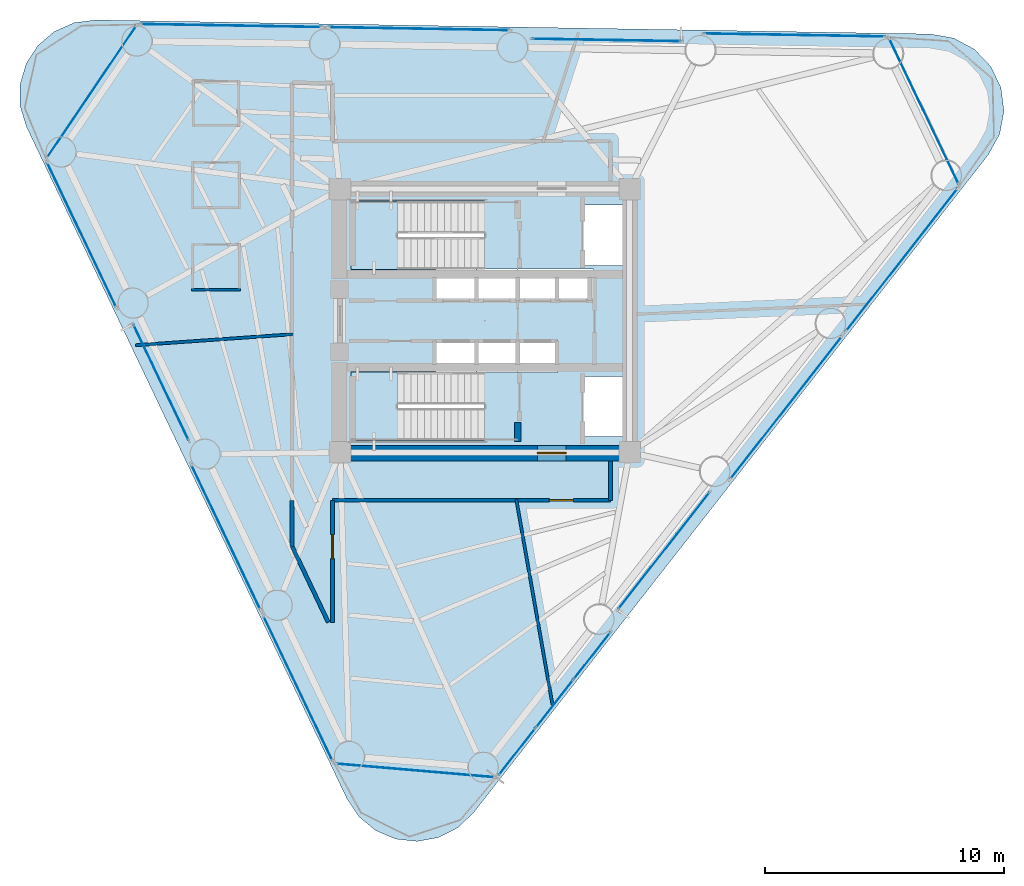
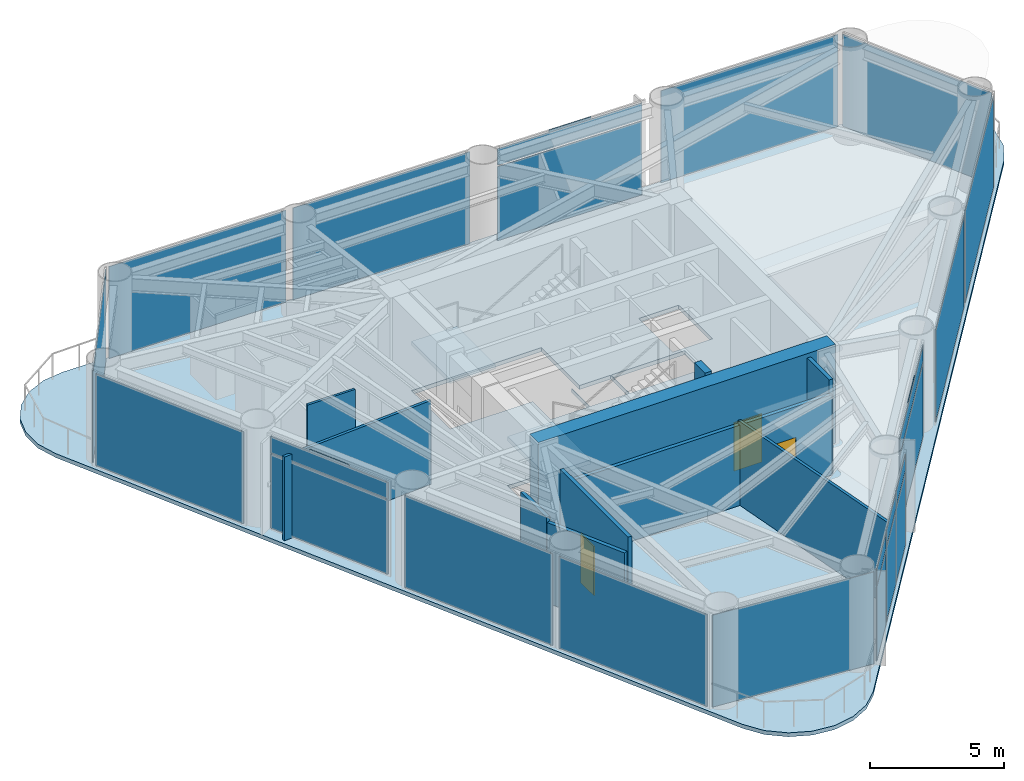
# One storey, part 5 of 11: 26 plates, 10 walls, 3 doors, 3 slabs, 3 openings, 17 elements without a shape of their own.
"""IFC4 building model written with IfcOpenShell, lengths in metres."""

from ifc_helpers import new_model, si_unit, direction, frame, frame_2d, origin, origin_2d, place, context, subcontext, project, spatial, polyline, rectangle, outline, extrude, source, transform, mapped, material, layer, layer_set, type_object, element, fill, aggregate, save


model = new_model("IFC4")

# Units and contexts
model_context = context("Model", 3, precision=1e-05, world=origin(), true_north=direction((0.0, 1.0)))
body_context = subcontext(model_context, "Body", "Model", "MODEL_VIEW")
ifc_project = project(units=[si_unit("LENGTHUNIT", "METRE"), si_unit("AREAUNIT", "SQUARE_METRE"), si_unit("VOLUMEUNIT", "CUBIC_METRE"), si_unit("PLANEANGLEUNIT", "RADIAN"), si_unit("MASSUNIT", "GRAM", prefix="KILO")], contexts=[model_context])

# Site, building, storey
site_placement = place(None, origin())
site = spatial("IfcSite", under=ifc_project, at=site_placement, CompositionType="ELEMENT")
building_placement = place(site_placement, origin())
building = spatial("IfcBuilding", under=site, at=building_placement, Name="Yunling Apex Tower", CompositionType="ELEMENT")
storey_placement = place(building_placement, frame((0.0, 0.0, 125.0)))
storey = spatial("IfcBuildingStorey", under=building, at=storey_placement, Name="L30", CompositionType="ELEMENT", Elevation=125.0)

# Slab
ifc_material_1 = material(Name="Concrete C40", Category="concrete")
ifc_layer_1 = layer(ifc_material_1, 0.1650390625)
ifc_layer_set_1 = layer_set([ifc_layer_1], Name="Concrete C40")
slab_type_1 = type_object("IfcSlabType", Name="SL-FLR-2", PredefinedType="FLOOR", material=ifc_layer_set_1)
slab_1_placement = place(storey_placement, frame((0.0, 0.0, -0.179931640625)))
element("IfcSlab", 1, at=slab_1_placement, inside=storey, type_object=slab_type_1, Name="L30 Composite Tower Floor Slab", PredefinedType="FLOOR", context=body_context, shape_type="SweptSolid", body=[
    extrude(outline(polyline([(-5.759765625, -19.970947265625), (-5.255615234375, -20.723388671875), (-4.55712890625, -21.300048828125), (-3.722900390625, -21.652587890625), (-2.82275390625, -21.75146484375), (-1.931884765625, -21.58837890625), (-1.125, -21.17724609375), (-0.469482421875, -20.55224609375), (21.029541015625, 6.926025390625), (21.5078125, 7.7900390625), (21.693115234375, 8.76025390625), (21.566650390625, 9.73974609375), (21.1416015625, 10.631103515625), (20.459716796875, 11.345703125), (19.58935546875, 11.812255859375), (18.616943359375, 11.984375), (-16.267578125, 12.569091796875), (-17.165771484375, 12.453125), (-17.9931640625, 12.084716796875), (-18.680419921875, 11.4951171875), (-19.170166015625, 10.733154296875), (-19.421142578125, 9.86279296875), (-19.41259765625, 8.957275390625), (-19.14501953125, 8.092041015625), (-5.759765625, -19.970947265625)]), holes=[polyline([(5.81005859375, -2.320068359375), (5.81005859375, -4.840087890625), (4.090087890625, -4.840087890625), (4.090087890625, -2.320068359375), (5.81005859375, -2.320068359375)]), polyline([(5.81005859375, 4.840087890625), (5.81005859375, 2.320068359375), (4.090087890625, 2.320068359375), (4.090087890625, 4.840087890625), (5.81005859375, 4.840087890625)]), polyline([(4.534912109375, 0.794921875), (1.364990234375, 0.794921875), (1.364990234375, 2.1650390625), (4.534912109375, 2.1650390625), (4.534912109375, 0.794921875)]), polyline([(3.034912109375, -0.794921875), (3.034912109375, -2.1650390625), (1.364990234375, -2.1650390625), (1.364990234375, -0.794921875), (3.034912109375, -0.794921875)]), polyline([(-2.034912109375, -0.794921875), (-0.364990234375, -0.794921875), (-0.364990234375, -2.139892578125), (-0.3349609375, -2.139892578125), (-0.3349609375, -0.794921875), (1.3349609375, -0.794921875), (1.3349609375, -2.1650390625), (-0.010009765625, -2.1650390625), (-0.010009765625, -5.010009765625), (-5.60009765625, -5.010009765625), (-5.60009765625, -2.139892578125), (-2.034912109375, -2.139892578125), (-2.034912109375, -0.794921875)]), polyline([(-5.60009765625, 2.139892578125), (-5.60009765625, 5.010009765625), (-0.010009765625, 5.010009765625), (-0.010009765625, 2.1650390625), (1.3349609375, 2.1650390625), (1.3349609375, 0.794921875), (-0.3349609375, 0.794921875), (-0.3349609375, 2.139892578125), (-0.364990234375, 2.139892578125), (-0.364990234375, 0.794921875), (-2.034912109375, 0.794921875), (-2.034912109375, 2.139892578125), (-5.60009765625, 2.139892578125)])]), origin(), (0.0, 0.0, 1.0), 0.179931640625),
])

# Stair, slab
stair_type = type_object("IfcStairType", Name="ST-TWR-2", PredefinedType="HALF_TURN_STAIR", material=ifc_material_1)
stair_1_placement = place(storey_placement, origin())
stair_1 = element("IfcStair", 2, at=stair_1_placement, inside=storey, type_object=stair_type, Name="L30 North Core Smokeproof Exit Stair ST-1", PredefinedType="HALF_TURN_STAIR")
ifc_layer_2 = layer(ifc_material_1, 0.195068359375)
ifc_layer_set_2 = layer_set([ifc_layer_2], Name="Concrete C40")
slab_type_2 = type_object("IfcSlabType", Name="SL-LND-1", PredefinedType="LANDING", material=ifc_layer_set_2)
slab_2_placement = place(storey_placement, frame((0.0, 0.0, 2.054931640625)))
slab_2 = element("IfcSlab", 3, at=slab_2_placement, type_object=slab_type_2, Name="ST-1 landing 1", PredefinedType="LANDING", context=body_context, shape_type="SweptSolid", body=[
    extrude(outline(polyline([(-3.64990234375, 5.010009765625), (-5.60009765625, 5.010009765625), (-5.60009765625, 2.139892578125), (-3.64990234375, 2.139892578125), (-3.64990234375, 5.010009765625)])), origin(), (0.0, 0.0, 1.0), 0.195068359375),
])
aggregate(stair_1, [slab_2])

stair_2_placement = place(storey_placement, origin())
stair_2 = element("IfcStair", 4, at=stair_2_placement, inside=storey, type_object=stair_type, Name="L30 South Core Smokeproof Exit Stair ST-2", PredefinedType="HALF_TURN_STAIR")
slab_3_placement = place(storey_placement, frame((0.0, 0.0, 2.054931640625)))
slab_3 = element("IfcSlab", 5, at=slab_3_placement, type_object=slab_type_2, Name="ST-2 landing 1", PredefinedType="LANDING", context=body_context, shape_type="SweptSolid", body=[
    extrude(outline(polyline([(-3.64990234375, -2.139892578125), (-5.60009765625, -2.139892578125), (-5.60009765625, -5.010009765625), (-3.64990234375, -5.010009765625), (-3.64990234375, -2.139892578125)])), origin(), (0.0, 0.0, 1.0), 0.195068359375),
])
aggregate(stair_2, [slab_3])

# Plates
ifc_material_2 = material(Name="Bronze anodised aluminium", Category="aluminium")
ifc_layer_3 = layer(ifc_material_2, 0.011962890625)
ifc_layer_set_3 = layer_set([ifc_layer_3], Name="Bronze anodised aluminium")
plate_type_1 = type_object("IfcPlateType", Name="SP-SHT-1", PredefinedType="SHEET", material=ifc_layer_set_3)
shared_shape_1 = source(origin(), body_context, "Body", "SweptSolid", [
    extrude(rectangle(XDim=1.800048828125, YDim=0.02392578125, at=origin_2d()), origin(), (0.0, 0.0, 1.0), 0.43994140625),
])
for number, where, z_axis, x_axis, name in (
    (6, (7.4833984375, -9.608642578125, 3.919921875), (0.0, 0.0, 1.0), (0.616211460536, 0.787580748815, 0.0), "SP-GRV-L30-F1"),
    (7, (5.091064453125, 11.73095703125, 3.919921875), (0.0, 0.0, 1.0), (-0.999859635577, 0.016754376869, 0.0), "SP-GRV-L30-F2"),
    (8, (-13.52490234375, -2.57568359375, 3.919921875), (0.0, 0.0, 1.0), (0.430511096808, -0.90258528435, 0.0), "SP-GRV-L30-F3"),
):
    element("IfcPlate", number, at=place(storey_placement, frame(where, z_axis=z_axis, x_axis=x_axis)), inside=storey, type_object=plate_type_1, Name=name, PredefinedType="SHEET", context=body_context, shape_type="MappedRepresentation", body=[
        mapped(shared_shape_1, transform((0.0, 0.0, 0.0), scale=1.0)),
    ])

# Curtain wall, plates
ifc_layer_4 = layer(ifc_material_2, 0.199951171875)
ifc_layer_set_4 = layer_set([ifc_layer_4], Name="Bronze anodised aluminium")
curtain_wall_type = type_object("IfcCurtainWallType", Name="CW-SYS-5", PredefinedType="NOTDEFINED", material=ifc_layer_set_4)
curtain_wall_1_placement = place(storey_placement, origin())
curtain_wall_1 = element("IfcCurtainWall", 9, at=curtain_wall_1_placement, inside=storey, type_object=curtain_wall_type, Name="CW-L30-F1-B1", PredefinedType="NOTDEFINED")
ifc_material_3 = material(Name="Bronze tinted low-E glass", Category="glass")
ifc_layer_5 = layer(ifc_material_3, 0.028076171875)
ifc_layer_set_5 = layer_set([ifc_layer_5], Name="Bronze tinted low-E glass")
plate_type_2 = type_object("IfcPlateType", Name="CW-PNL-5", PredefinedType="CURTAIN_PANEL", material=ifc_layer_set_5)
shared_shape_2 = source(origin(), body_context, "Body", "SweptSolid", [
    extrude(rectangle(XDim=2.46630859375, YDim=0.028076171875, at=origin_2d()), origin(), (0.0, 0.0, 1.0), 3.373046875),
])
plate_1_placement = place(storey_placement, frame((1.345947265625, -18.0048828125, 0.067138671875), z_axis=(0.0, 0.0, 1.0), x_axis=(0.616207626377, 0.787583748686, 0.0)))
plate_1 = element("IfcPlate", 10, at=plate_1_placement, type_object=plate_type_2, Name="CW-SYS-5 panel 1.1", PredefinedType="CURTAIN_PANEL", context=body_context, shape_type="MappedRepresentation", body=[
    mapped(shared_shape_2, transform((0.0, 0.0, 0.0), scale=1.0)),
])
plate_2_placement = place(storey_placement, frame((4.48193359375, -13.99658203125, 0.067138671875), z_axis=(0.0, 0.0, 1.0), x_axis=(0.616207626377, 0.787583748686, 0.0)))
plate_2 = element("IfcPlate", 11, at=plate_2_placement, type_object=plate_type_2, Name="CW-SYS-5 panel 3.1", PredefinedType="CURTAIN_PANEL", context=body_context, shape_type="MappedRepresentation", body=[
    mapped(shared_shape_2, transform((0.0, 0.0, 0.0), scale=1.0)),
])
shared_shape_3 = source(origin(), body_context, "Body", "SweptSolid", [
    extrude(rectangle(XDim=2.46630859375, YDim=0.028076171875, at=origin_2d()), origin(), (0.0, 0.0, 1.0), 0.7529296875),
])
plate_3_placement = place(storey_placement, frame((1.345947265625, -18.0048828125, 3.499755859375), z_axis=(0.0, 0.0, 1.0), x_axis=(0.616207626377, 0.787583748686, 0.0)))
plate_3 = element("IfcPlate", 12, at=plate_3_placement, type_object=plate_type_2, Name="CW-SYS-5 panel 1.2", PredefinedType="CURTAIN_PANEL", context=body_context, shape_type="MappedRepresentation", body=[
    mapped(shared_shape_3, transform((0.0, 0.0, 0.0), scale=1.0)),
])
plate_4_placement = place(storey_placement, frame((4.48193359375, -13.99658203125, 3.499755859375), z_axis=(0.0, 0.0, 1.0), x_axis=(0.616207626377, 0.787583748686, 0.0)))
plate_4 = element("IfcPlate", 13, at=plate_4_placement, type_object=plate_type_2, Name="CW-SYS-5 panel 3.2", PredefinedType="CURTAIN_PANEL", context=body_context, shape_type="MappedRepresentation", body=[
    mapped(shared_shape_3, transform((0.0, 0.0, 0.0), scale=1.0)),
])
shared_shape_4 = source(origin(), body_context, "Body", "SweptSolid", [
    extrude(rectangle(XDim=2.50390625, YDim=0.028076171875, at=origin_2d()), origin(), (0.0, 0.0, 1.0), 3.373046875),
])
plate_5_placement = place(storey_placement, frame((2.913818359375, -16.000732421875, 0.067138671875), z_axis=(0.0, 0.0, 1.0), x_axis=(0.616207626377, 0.787583748686, 0.0)))
plate_5 = element("IfcPlate", 14, at=plate_5_placement, type_object=plate_type_2, Name="CW-SYS-5 panel 2.1", PredefinedType="CURTAIN_PANEL", context=body_context, shape_type="MappedRepresentation", body=[
    mapped(shared_shape_4, transform((0.0, 0.0, 0.0), scale=1.0)),
])
shared_shape_5 = source(origin(), body_context, "Body", "SweptSolid", [
    extrude(rectangle(XDim=2.50390625, YDim=0.028076171875, at=origin_2d()), origin(), (0.0, 0.0, 1.0), 0.7529296875),
])
plate_6_placement = place(storey_placement, frame((2.913818359375, -16.000732421875, 3.499755859375), z_axis=(0.0, 0.0, 1.0), x_axis=(0.616207626377, 0.787583748686, 0.0)))
plate_6 = element("IfcPlate", 15, at=plate_6_placement, type_object=plate_type_2, Name="CW-SYS-5 panel 2.2", PredefinedType="CURTAIN_PANEL", context=body_context, shape_type="MappedRepresentation", body=[
    mapped(shared_shape_5, transform((0.0, 0.0, 0.0), scale=1.0)),
])
aggregate(curtain_wall_1, [plate_1, plate_3, plate_5, plate_6, plate_2, plate_4])

curtain_wall_2_placement = place(storey_placement, origin())
curtain_wall_2 = element("IfcCurtainWall", 16, at=curtain_wall_2_placement, inside=storey, type_object=curtain_wall_type, Name="CW-L30-F1-B2", PredefinedType="NOTDEFINED")
shared_shape_6 = source(origin(), body_context, "Body", "SweptSolid", [
    extrude(rectangle(XDim=6.175537109375, YDim=0.028076171875, at=origin_2d()), origin(), (0.0, 0.0, 1.0), 3.373046875),
])
plate_7_placement = place(storey_placement, frame((7.4833984375, -9.608642578125, 0.067138671875), z_axis=(0.0, 0.0, 1.0), x_axis=(0.616199292419, 0.787590269126, 0.0)))
plate_7 = element("IfcPlate", 17, at=plate_7_placement, type_object=plate_type_2, Name="CW-SYS-5 panel 1.1", PredefinedType="CURTAIN_PANEL", context=body_context, shape_type="MappedRepresentation", body=[
    mapped(shared_shape_6, transform((0.0, 0.0, 0.0), scale=1.0)),
])
shared_shape_7 = source(origin(), body_context, "Body", "SweptSolid", [
    extrude(rectangle(XDim=6.175537109375, YDim=0.028076171875, at=origin_2d()), origin(), (0.0, 0.0, 1.0), 0.7529296875),
])
plate_8_placement = place(storey_placement, frame((7.4833984375, -9.608642578125, 3.499755859375), z_axis=(0.0, 0.0, 1.0), x_axis=(0.616199292419, 0.787590269126, 0.0)))
plate_8 = element("IfcPlate", 18, at=plate_8_placement, type_object=plate_type_2, Name="CW-SYS-5 panel 1.2", PredefinedType="CURTAIN_PANEL", context=body_context, shape_type="MappedRepresentation", body=[
    mapped(shared_shape_7, transform((0.0, 0.0, 0.0), scale=1.0)),
])
aggregate(curtain_wall_2, [plate_7, plate_8])

# Curtain wall, plate
curtain_wall_3_placement = place(storey_placement, origin())
curtain_wall_3 = element("IfcCurtainWall", 19, at=curtain_wall_3_placement, inside=storey, type_object=curtain_wall_type, Name="CW-L30-F1-B3", PredefinedType="NOTDEFINED")
shared_shape_8 = source(origin(), body_context, "Body", "SweptSolid", [
    extrude(rectangle(XDim=7.5556640625, YDim=0.028076171875, at=origin_2d()), origin(), (0.0, 0.0, 1.0), 4.185546875),
])
plate_9_placement = place(storey_placement, frame((12.58837890625, -3.635498046875, 0.067138671875), z_axis=(0.0, 0.0, 1.0), x_axis=(0.616207626377, 0.787583748686, 0.0)))
plate_9 = element("IfcPlate", 20, at=plate_9_placement, type_object=plate_type_2, Name="CW-SYS-5 panel 1.1", PredefinedType="CURTAIN_PANEL", context=body_context, shape_type="MappedRepresentation", body=[
    mapped(shared_shape_8, transform((0.0, 0.0, 0.0), scale=1.0)),
])
aggregate(curtain_wall_3, [plate_9])

curtain_wall_4_placement = place(storey_placement, origin())
curtain_wall_4 = element("IfcCurtainWall", 21, at=curtain_wall_4_placement, inside=storey, type_object=curtain_wall_type, Name="CW-L30-F1-B4", PredefinedType="NOTDEFINED")
plate_10_placement = place(storey_placement, frame((17.425537109375, 2.547119140625, 0.067138671875), z_axis=(0.0, 0.0, 1.0), x_axis=(0.616207626377, 0.787583748686, 0.0)))
plate_10 = element("IfcPlate", 22, at=plate_10_placement, type_object=plate_type_2, Name="CW-SYS-5 panel 1.1", PredefinedType="CURTAIN_PANEL", context=body_context, shape_type="MappedRepresentation", body=[
    mapped(shared_shape_8, transform((0.0, 0.0, 0.0), scale=1.0)),
])
aggregate(curtain_wall_4, [plate_10])

curtain_wall_5_placement = place(storey_placement, origin())
curtain_wall_5 = element("IfcCurtainWall", 23, at=curtain_wall_5_placement, inside=storey, type_object=curtain_wall_type, Name="CW-L30-F2-B1", PredefinedType="NOTDEFINED")
plate_11_placement = place(storey_placement, frame((12.94580078125, 11.939453125, 0.067138671875), z_axis=(0.0, 0.0, 1.0), x_axis=(-0.99985951392, 0.016761635477, 0.0)))
plate_11 = element("IfcPlate", 24, at=plate_11_placement, type_object=plate_type_2, Name="CW-SYS-5 panel 1.1", PredefinedType="CURTAIN_PANEL", context=body_context, shape_type="MappedRepresentation", body=[
    mapped(shared_shape_8, transform((0.0, 0.0, 0.0), scale=1.0)),
])
aggregate(curtain_wall_5, [plate_11])

curtain_wall_6_placement = place(storey_placement, origin())
curtain_wall_6 = element("IfcCurtainWall", 25, at=curtain_wall_6_placement, inside=storey, type_object=curtain_wall_type, Name="CW-L30-F2-B3", PredefinedType="NOTDEFINED")
plate_12_placement = place(storey_placement, frame((-2.752197265625, 12.20263671875, 0.067138671875), z_axis=(0.0, 0.0, 1.0), x_axis=(-0.99985951392, 0.016761635477, 0.0)))
plate_12 = element("IfcPlate", 26, at=plate_12_placement, type_object=plate_type_2, Name="CW-SYS-5 panel 1.1", PredefinedType="CURTAIN_PANEL", context=body_context, shape_type="MappedRepresentation", body=[
    mapped(shared_shape_8, transform((0.0, 0.0, 0.0), scale=1.0)),
])
aggregate(curtain_wall_6, [plate_12])

curtain_wall_7_placement = place(storey_placement, origin())
curtain_wall_7 = element("IfcCurtainWall", 27, at=curtain_wall_7_placement, inside=storey, type_object=curtain_wall_type, Name="CW-L30-F2-B4", PredefinedType="NOTDEFINED")
plate_13_placement = place(storey_placement, frame((-10.60107421875, 12.334228515625, 0.067138671875), z_axis=(0.0, 0.0, 1.0), x_axis=(-0.99985951392, 0.016761635477, 0.0)))
plate_13 = element("IfcPlate", 28, at=plate_13_placement, type_object=plate_type_2, Name="CW-SYS-5 panel 1.1", PredefinedType="CURTAIN_PANEL", context=body_context, shape_type="MappedRepresentation", body=[
    mapped(shared_shape_8, transform((0.0, 0.0, 0.0), scale=1.0)),
])
aggregate(curtain_wall_7, [plate_13])

curtain_wall_8_placement = place(storey_placement, origin())
curtain_wall_8 = element("IfcCurtainWall", 29, at=curtain_wall_8_placement, inside=storey, type_object=curtain_wall_type, Name="CW-L30-CRN1", PredefinedType="NOTDEFINED")
shared_shape_9 = source(origin(), body_context, "Body", "SweptSolid", [
    extrude(rectangle(XDim=6.73779296875, YDim=0.028076171875, at=origin_2d()), origin(), (0.0, 0.0, 1.0), 4.185546875),
])
plate_14_placement = place(storey_placement, frame((18.349365234375, 8.752197265625, 0.067138671875), z_axis=(0.0, 0.0, 1.0), x_axis=(-0.430518667458, 0.902581673296, 0.0)))
plate_14 = element("IfcPlate", 30, at=plate_14_placement, type_object=plate_type_2, Name="CW-SYS-5 panel 1.1", PredefinedType="CURTAIN_PANEL", context=body_context, shape_type="MappedRepresentation", body=[
    mapped(shared_shape_9, transform((0.0, 0.0, 0.0), scale=1.0)),
])
aggregate(curtain_wall_8, [plate_14])

# Curtain wall, plates
curtain_wall_9_placement = place(storey_placement, origin())
curtain_wall_9 = element("IfcCurtainWall", 31, at=curtain_wall_9_placement, inside=storey, type_object=curtain_wall_type, Name="CW-L30-F2-B2", PredefinedType="NOTDEFINED")
shared_shape_10 = source(origin(), body_context, "Body", "SweptSolid", [
    extrude(rectangle(XDim=6.17578125, YDim=0.028076171875, at=origin_2d()), origin(), (0.0, 0.0, 1.0), 3.373046875),
])
plate_15_placement = place(storey_placement, frame((5.091064453125, 11.73095703125, 0.067138671875), z_axis=(0.0, 0.0, 1.0), x_axis=(-0.999859431696, 0.016766539529, 0.0)))
plate_15 = element("IfcPlate", 32, at=plate_15_placement, type_object=plate_type_2, Name="CW-SYS-5 panel 1.1", PredefinedType="CURTAIN_PANEL", context=body_context, shape_type="MappedRepresentation", body=[
    mapped(shared_shape_10, transform((0.0, 0.0, 0.0), scale=1.0)),
])
shared_shape_11 = source(origin(), body_context, "Body", "SweptSolid", [
    extrude(rectangle(XDim=6.17578125, YDim=0.028076171875, at=origin_2d()), origin(), (0.0, 0.0, 1.0), 0.7529296875),
])
plate_16_placement = place(storey_placement, frame((5.091064453125, 11.73095703125, 3.499755859375), z_axis=(0.0, 0.0, 1.0), x_axis=(-0.999859431696, 0.016766539529, 0.0)))
plate_16 = element("IfcPlate", 33, at=plate_16_placement, type_object=plate_type_2, Name="CW-SYS-5 panel 1.2", PredefinedType="CURTAIN_PANEL", context=body_context, shape_type="MappedRepresentation", body=[
    mapped(shared_shape_11, transform((0.0, 0.0, 0.0), scale=1.0)),
])
aggregate(curtain_wall_9, [plate_15, plate_16])

# Curtain wall, plate
curtain_wall_10_placement = place(storey_placement, origin())
curtain_wall_10 = element("IfcCurtainWall", 34, at=curtain_wall_10_placement, inside=storey, type_object=curtain_wall_type, Name="CW-L30-CRN2", PredefinedType="NOTDEFINED")
shared_shape_12 = source(origin(), body_context, "Body", "SweptSolid", [
    extrude(rectangle(XDim=6.654296875, YDim=0.028076171875, at=origin_2d()), origin(), (0.0, 0.0, 1.0), 4.185546875),
])
plate_17_placement = place(storey_placement, frame((-16.4287109375, 9.56884765625, 0.067138671875), z_axis=(0.0, 0.0, 1.0), x_axis=(-0.560523052964, -0.82813882115, 0.0)))
plate_17 = element("IfcPlate", 35, at=plate_17_placement, type_object=plate_type_2, Name="CW-SYS-5 panel 1.1", PredefinedType="CURTAIN_PANEL", context=body_context, shape_type="MappedRepresentation", body=[
    mapped(shared_shape_12, transform((0.0, 0.0, 0.0), scale=1.0)),
])
aggregate(curtain_wall_10, [plate_17])

curtain_wall_11_placement = place(storey_placement, origin())
curtain_wall_11 = element("IfcCurtainWall", 36, at=curtain_wall_11_placement, inside=storey, type_object=curtain_wall_type, Name="CW-L30-F3-B1", PredefinedType="NOTDEFINED")
shared_shape_13 = source(origin(), body_context, "Body", "SweptSolid", [
    extrude(rectangle(XDim=6.701171875, YDim=0.028076171875, at=origin_2d()), origin(), (0.0, 0.0, 1.0), 4.185546875),
])
plate_18_placement = place(storey_placement, frame((-16.843505859375, 3.592041015625, 0.067138671875), z_axis=(0.0, 0.0, 1.0), x_axis=(0.4305058957, -0.902587765133, 0.0)))
plate_18 = element("IfcPlate", 37, at=plate_18_placement, type_object=plate_type_2, Name="CW-SYS-5 panel 1.1", PredefinedType="CURTAIN_PANEL", context=body_context, shape_type="MappedRepresentation", body=[
    mapped(shared_shape_13, transform((0.0, 0.0, 0.0), scale=1.0)),
])
aggregate(curtain_wall_11, [plate_18])

curtain_wall_12_placement = place(storey_placement, origin())
curtain_wall_12 = element("IfcCurtainWall", 38, at=curtain_wall_12_placement, inside=storey, type_object=curtain_wall_type, Name="CW-L30-F3-B3", PredefinedType="NOTDEFINED")
plate_19_placement = place(storey_placement, frame((-10.820068359375, -9.036376953125, 0.067138671875), z_axis=(0.0, 0.0, 1.0), x_axis=(0.430493977743, -0.902593449526, 0.0)))
plate_19 = element("IfcPlate", 39, at=plate_19_placement, type_object=plate_type_2, Name="CW-SYS-5 panel 1.1", PredefinedType="CURTAIN_PANEL", context=body_context, shape_type="MappedRepresentation", body=[
    mapped(shared_shape_13, transform((0.0, 0.0, 0.0), scale=1.0)),
])
aggregate(curtain_wall_12, [plate_19])

curtain_wall_13_placement = place(storey_placement, origin())
curtain_wall_13 = element("IfcCurtainWall", 40, at=curtain_wall_13_placement, inside=storey, type_object=curtain_wall_type, Name="CW-L30-F3-B4", PredefinedType="NOTDEFINED")
plate_20_placement = place(storey_placement, frame((-7.80859375, -15.350341796875, 0.067138671875), z_axis=(0.0, 0.0, 1.0), x_axis=(0.430511580192, -0.902585053788, 0.0)))
plate_20 = element("IfcPlate", 41, at=plate_20_placement, type_object=plate_type_2, Name="CW-SYS-5 panel 1.1", PredefinedType="CURTAIN_PANEL", context=body_context, shape_type="MappedRepresentation", body=[
    mapped(shared_shape_13, transform((0.0, 0.0, 0.0), scale=1.0)),
])
aggregate(curtain_wall_13, [plate_20])

# Curtain wall, plates
curtain_wall_14_placement = place(storey_placement, origin())
curtain_wall_14 = element("IfcCurtainWall", 42, at=curtain_wall_14_placement, inside=storey, type_object=curtain_wall_type, Name="CW-L30-F3-B2", PredefinedType="NOTDEFINED")
shared_shape_14 = source(origin(), body_context, "Body", "SweptSolid", [
    extrude(rectangle(XDim=5.3212890625, YDim=0.028076171875, at=origin_2d()), origin(), (0.0, 0.0, 1.0), 3.373046875),
])
plate_21_placement = place(storey_placement, frame((-13.52490234375, -2.57568359375, 0.067138671875), z_axis=(0.0, 0.0, 1.0), x_axis=(0.430522606859, -0.902579794247, 0.0)))
plate_21 = element("IfcPlate", 43, at=plate_21_placement, type_object=plate_type_2, Name="CW-SYS-5 panel 1.1", PredefinedType="CURTAIN_PANEL", context=body_context, shape_type="MappedRepresentation", body=[
    mapped(shared_shape_14, transform((0.0, 0.0, 0.0), scale=1.0)),
])
shared_shape_15 = source(origin(), body_context, "Body", "SweptSolid", [
    extrude(rectangle(XDim=5.3212890625, YDim=0.028076171875, at=origin_2d()), origin(), (0.0, 0.0, 1.0), 0.7529296875),
])
plate_22_placement = place(storey_placement, frame((-13.52490234375, -2.57568359375, 3.499755859375), z_axis=(0.0, 0.0, 1.0), x_axis=(0.430522606859, -0.902579794247, 0.0)))
plate_22 = element("IfcPlate", 44, at=plate_22_placement, type_object=plate_type_2, Name="CW-SYS-5 panel 1.2", PredefinedType="CURTAIN_PANEL", context=body_context, shape_type="MappedRepresentation", body=[
    mapped(shared_shape_15, transform((0.0, 0.0, 0.0), scale=1.0)),
])
aggregate(curtain_wall_14, [plate_21, plate_22])

# Curtain wall, plate
curtain_wall_15_placement = place(storey_placement, origin())
curtain_wall_15 = element("IfcCurtainWall", 45, at=curtain_wall_15_placement, inside=storey, type_object=curtain_wall_type, Name="CW-L30-CRN3", PredefinedType="NOTDEFINED")
shared_shape_16 = source(origin(), body_context, "Body", "SweptSolid", [
    extrude(rectangle(XDim=6.654541015625, YDim=0.028076171875, at=origin_2d()), origin(), (0.0, 0.0, 1.0), 4.185546875),
])
plate_23_placement = place(storey_placement, frame((-2.902587890625, -18.789306640625, 0.067138671875), z_axis=(0.0, 0.0, 1.0), x_axis=(0.996333853808, -0.085550287883, 0.0)))
plate_23 = element("IfcPlate", 46, at=plate_23_placement, type_object=plate_type_2, Name="CW-SYS-5 panel 1.1", PredefinedType="CURTAIN_PANEL", context=body_context, shape_type="MappedRepresentation", body=[
    mapped(shared_shape_16, transform((0.0, 0.0, 0.0), scale=1.0)),
])
aggregate(curtain_wall_15, [plate_23])

# Wall, opening, door
ifc_material_4 = material(Name="Concrete C50", Category="concrete")
ifc_layer_6 = layer(ifc_material_4, 0.64990234375)
ifc_layer_set_6 = layer_set([ifc_layer_6], Name="Concrete C50")
wall_type_1 = type_object("IfcWallType", Name="WL-COR-2", PredefinedType="SHEAR", material=ifc_layer_set_6)
wall_1_placement = place(storey_placement, frame((-6.39990234375, -5.52490234375, 0.0), z_axis=(0.0, 0.0, 1.0), x_axis=(1.0, 0.0, 0.0)))
wall_1 = element("IfcWall", 47, at=wall_1_placement, inside=storey, type_object=wall_type_1, Name="L30 South Core Shear Wall", PredefinedType="SHEAR", context=body_context, shape_type="SweptSolid", body=[
    extrude(rectangle(XDim=12.7998046875, YDim=0.64990234375, at=frame_2d((6.39990234375, 0.0))), origin(), (0.0, 0.0, 1.0), 4.5),
])
opening_1_placement = place(wall_1_placement, frame((8.60009765625, 0.0, 0.0)))
opening_1 = element("IfcOpeningElement", 48, at=opening_1_placement, cuts=wall_1, Name="Opening DR-FFL-1", PredefinedType="OPENING", context=body_context, shape_type="SweptSolid", body=[
    extrude(rectangle(XDim=1.199951171875, YDim=2.199951171875, at=frame_2d((0.60009765625, 1.10009765625))), frame((0.0, 0.3349609375, 0.0), z_axis=(0.0, -1.0, 0.0), x_axis=(1.0, 0.0, 0.0)), (0.0, 0.0, 1.0), 0.669921875),
])
ifc_material_5 = material(Name="Steel Q355B", Category="steel")
door_type_1 = type_object("IfcDoorType", Name="DR-FFL-1", OperationType="NOTDEFINED", PredefinedType="DOOR", material=ifc_material_5)
door_1_placement = place(opening_1_placement, origin())
door_1 = element("IfcDoor", 49, at=door_1_placement, inside=storey, type_object=door_type_1, Name="L30 South Firefighting Lobby Door", OperationType="SINGLE_SWING_RIGHT", OverallHeight=2.199951171875, OverallWidth=1.199951171875, PredefinedType="DOOR", context=body_context, shape_type="SweptSolid", body=[
    extrude(rectangle(XDim=1.199951171875, YDim=2.199951171875, at=frame_2d((0.60009765625, 1.10009765625))), frame((0.0, 0.02490234375, 0.0), z_axis=(0.0, -1.0, 0.0), x_axis=(1.0, 0.0, 0.0)), (0.0, 0.0, 1.0), 0.050048828125),
])
fill(opening_1, door_1)

# Wall
ifc_layer_7 = layer(ifc_material_1, 0.280029296875)
ifc_layer_set_7 = layer_set([ifc_layer_7], Name="Concrete C40")
wall_type_2 = type_object("IfcWallType", Name="WL-COR-8", PredefinedType="SHEAR", material=ifc_layer_set_7)
wall_2_placement = place(storey_placement, frame((1.3798828125, -5.050048828125, 0.0), z_axis=(0.0, 0.0, 1.0), x_axis=(0.0, 1.0, 0.0)))
element("IfcWall", 50, at=wall_2_placement, inside=storey, type_object=wall_type_2, Name="L30 ST-2 East Landing Bearing Pier", PredefinedType="SHEAR", context=body_context, shape_type="SweptSolid", body=[
    extrude(rectangle(XDim=0.800048828125, YDim=0.280029296875, at=frame_2d((0.39990234375, 0.0))), origin(), (0.0, 0.0, 1.0), 4.5),
])

# Wall, opening, door
ifc_material_6 = material(Name="Gypsum board acoustic partition")
ifc_layer_8 = layer(ifc_material_6, 0.159912109375)
ifc_layer_set_8 = layer_set([ifc_layer_8], Name="Gypsum board acoustic partition")
wall_type_3 = type_object("IfcWallType", Name="WL-PRT-1", PredefinedType="PARTITIONING", material=ifc_layer_set_8)
wall_3_placement = place(storey_placement, frame((-6.360107421875, -7.5, 0.0), z_axis=(0.0, 0.0, 1.0), x_axis=(0.0, -1.0, 0.0)))
wall_3 = element("IfcWall", 51, at=wall_3_placement, inside=storey, type_object=wall_type_3, Name="WL-CORR-L30-01", PredefinedType="PARTITIONING", context=body_context, shape_type="SweptSolid", body=[
    extrude(rectangle(XDim=5.10009765625, YDim=0.159912109375, at=frame_2d((2.550048828125, 0.0))), origin(), (0.0, 0.0, 1.0), 4.300048828125),
])
opening_2_placement = place(wall_3_placement, frame((1.43798828125, 0.0, 0.0)))
opening_2 = element("IfcOpeningElement", 52, at=opening_2_placement, cuts=wall_3, Name="Opening DR-OFF-1", PredefinedType="OPENING", context=body_context, shape_type="SweptSolid", body=[
    extrude(rectangle(XDim=1.0, YDim=2.25, at=frame_2d((0.5, 1.125))), frame((0.0, 0.08984375, 0.0), z_axis=(0.0, -1.0, 0.0), x_axis=(1.0, 0.0, 0.0)), (0.0, 0.0, 1.0), 0.179931640625),
])
door_type_2 = type_object("IfcDoorType", Name="DR-OFF-1", OperationType="NOTDEFINED", PredefinedType="DOOR", material=ifc_material_2)
door_2_placement = place(opening_2_placement, origin())
door_2 = element("IfcDoor", 53, at=door_2_placement, inside=storey, type_object=door_type_2, Name="L30 Sky Transfer Reception Foyer Door", OperationType="SINGLE_SWING_RIGHT", OverallHeight=2.25, OverallWidth=1.0, PredefinedType="DOOR", context=body_context, shape_type="SweptSolid", body=[
    extrude(rectangle(XDim=1.0, YDim=2.25, at=frame_2d((0.5, 1.125))), frame((0.0, 0.02490234375, 0.0), z_axis=(0.0, -1.0, 0.0), x_axis=(1.0, 0.0, 0.0)), (0.0, 0.0, 1.0), 0.050048828125),
])
fill(opening_2, door_2)

# Walls
wall_4_placement = place(storey_placement, frame((-6.538818359375, -12.60009765625, 0.0), z_axis=(0.0, 0.0, 1.0), x_axis=(-0.430527444218, 0.902577486853, 0.0)))
element("IfcWall", 54, at=wall_4_placement, inside=storey, type_object=wall_type_3, Name="WL-CORR-L30-02", PredefinedType="PARTITIONING", context=body_context, shape_type="SweptSolid", body=[
    extrude(rectangle(XDim=3.51025390625, YDim=0.159912109375, at=frame_2d((1.755126953125, 0.0))), origin(), (0.0, 0.0, 1.0), 3.655029296875),
])
wall_5_placement = place(storey_placement, frame((-8.050048828125, -9.431884765625, 0.0), z_axis=(0.0, 0.0, 1.0), x_axis=(0.0, 1.0, 0.0)))
element("IfcWall", 55, at=wall_5_placement, inside=storey, type_object=wall_type_3, Name="WL-CORR-L30-03", PredefinedType="PARTITIONING", context=body_context, shape_type="SweptSolid", body=[
    extrude(rectangle(XDim=1.931884765625, YDim=0.159912109375, at=frame_2d((0.9658203125, 0.0))), origin(), (0.0, 0.0, 1.0), 3.85498046875),
])
wall_6_placement = place(storey_placement, frame((5.25, -5.85009765625, 0.0), z_axis=(0.0, 0.0, 1.0), x_axis=(0.0, -1.0, 0.0)))
element("IfcWall", 56, at=wall_6_placement, inside=storey, type_object=wall_type_3, Name="WL-CORR-L30-10", PredefinedType="PARTITIONING", context=body_context, shape_type="SweptSolid", body=[
    extrude(rectangle(XDim=1.64990234375, YDim=0.159912109375, at=frame_2d((0.824951171875, 0.0))), origin(), (0.0, 0.0, 1.0), 4.300048828125),
])

# Wall, opening, door
wall_7_placement = place(storey_placement, frame((5.25, -7.5, 0.0), z_axis=(0.0, 0.0, 1.0), x_axis=(-1.0, 0.0, 0.0)))
wall_7 = element("IfcWall", 57, at=wall_7_placement, inside=storey, type_object=wall_type_3, Name="WL-CORR-L30-11", PredefinedType="PARTITIONING", context=body_context, shape_type="SweptSolid", body=[
    extrude(rectangle(XDim=11.610107421875, YDim=0.159912109375, at=frame_2d((5.80517578125, 0.0))), origin(), (0.0, 0.0, 1.0), 3.655029296875),
])
opening_3_placement = place(wall_7_placement, frame((1.55029296875, 0.0, 0.0)))
opening_3 = element("IfcOpeningElement", 58, at=opening_3_placement, cuts=wall_7, Name="Opening DR-OFF-1", PredefinedType="OPENING", context=body_context, shape_type="SweptSolid", body=[
    extrude(rectangle(XDim=1.0, YDim=2.25, at=frame_2d((0.5, 1.125))), frame((0.0, 0.08984375, 0.0), z_axis=(0.0, -1.0, 0.0), x_axis=(1.0, 0.0, 0.0)), (0.0, 0.0, 1.0), 0.179931640625),
])
door_3_placement = place(opening_3_placement, origin())
door_3 = element("IfcDoor", 59, at=door_3_placement, inside=storey, type_object=door_type_2, Name="L30 Sky Observation Lounge Door", OperationType="SINGLE_SWING_LEFT", OverallHeight=2.25, OverallWidth=1.0, PredefinedType="DOOR", context=body_context, shape_type="SweptSolid", body=[
    extrude(rectangle(XDim=1.0, YDim=2.25, at=frame_2d((0.5, 1.125))), frame((0.0, 0.02490234375, 0.0), z_axis=(0.0, -1.0, 0.0), x_axis=(1.0, 0.0, 0.0)), (0.0, 0.0, 1.0), 0.050048828125),
])
fill(opening_3, door_3)

# Walls
ifc_layer_9 = layer(ifc_material_6, 0.1201171875)
ifc_layer_set_9 = layer_set([ifc_layer_9], Name="Gypsum board acoustic partition")
wall_type_4 = type_object("IfcWallType", Name="WL-PRT-3", PredefinedType="PARTITIONING", material=ifc_layer_set_9)
wall_8_placement = place(storey_placement, frame((-8.010009765625, -0.56005859375, 0.0), z_axis=(0.0, 0.0, 1.0), x_axis=(-0.997562133009, -0.069783886292, 0.0)))
element("IfcWall", 60, at=wall_8_placement, inside=storey, type_object=wall_type_4, Name="WL-RAD-L30-03", PredefinedType="PARTITIONING", context=body_context, shape_type="SweptSolid", body=[
    extrude(rectangle(XDim=6.605224609375, YDim=0.1201171875, at=frame_2d((3.302734375, 0.0))), origin(), (0.0, 0.0, 1.0), 3.81494140625),
])
wall_9_placement = place(storey_placement, frame((1.3154296875, -7.4599609375, 0.0), z_axis=(0.0, 0.0, 1.0), x_axis=(0.173652714894, -0.984806952966, 0.0)))
element("IfcWall", 61, at=wall_9_placement, inside=storey, type_object=wall_type_4, Name="WL-RAD-L30-04", PredefinedType="PARTITIONING", context=body_context, shape_type="SweptSolid", body=[
    extrude(rectangle(XDim=8.716552734375, YDim=0.1201171875, at=frame_2d((4.3583984375, 0.0))), origin(), (0.0, 0.0, 1.0), 3.81494140625),
])
ifc_layer_10 = layer(ifc_material_6, 0.10009765625)
ifc_layer_set_10 = layer_set([ifc_layer_10], Name="Gypsum board acoustic partition")
wall_type_5 = type_object("IfcWallType", Name="WL-PRT-4", PredefinedType="PARTITIONING", material=ifc_layer_set_10)
wall_10_placement = place(storey_placement, frame((-10.2041015625, 1.291015625, 0.0), z_axis=(0.0, 0.0, 1.0), x_axis=(-1.0, 0.0, 0.0)))
element("IfcWall", 62, at=wall_10_placement, inside=storey, type_object=wall_type_5, Name="WL-L30-WCFS", PredefinedType="PARTITIONING", context=body_context, shape_type="SweptSolid", body=[
    extrude(rectangle(XDim=2.0498046875, YDim=0.10009765625, at=frame_2d((1.02490234375, 0.0))), origin(), (0.0, 0.0, 1.0), 3.955078125),
])

save(model, "model.ifc")
